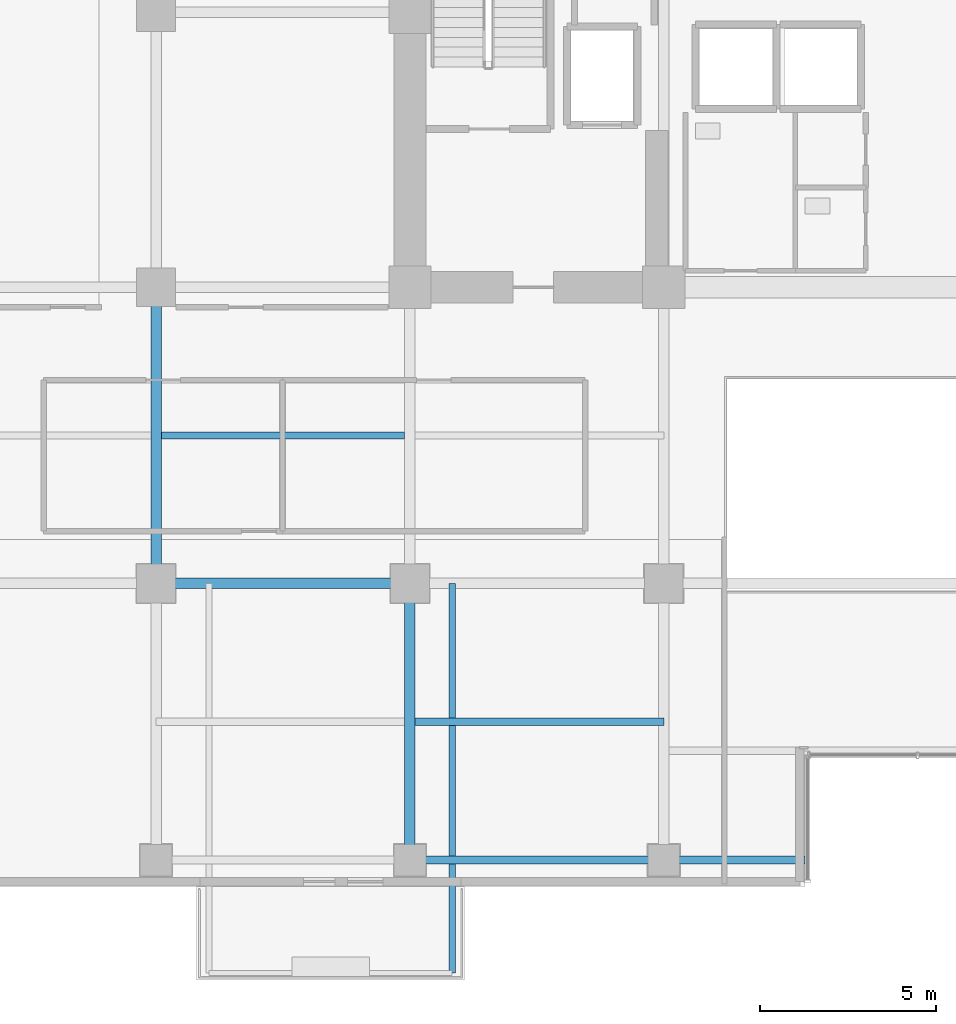
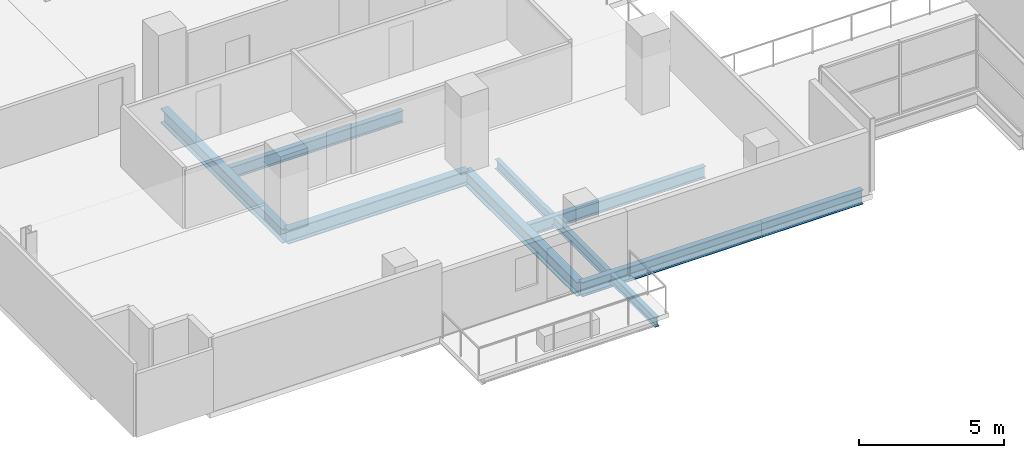
# One storey, part 5 of 30: 8 beams.
"""IFC4 building model written with IfcOpenShell, lengths in metres."""

from ifc_helpers import new_model, si_unit, direction, frame, origin, origin_2d, place, context, subcontext, project, spatial, i_section, extrude, material, material_profile, profile_set, type_object, element, save


model = new_model("IFC4")

# Units and contexts
model_context = context("Model", 3, precision=1e-05, world=origin(), true_north=direction((0.0, 1.0)))
body_context = subcontext(model_context, "Body", "Model", "MODEL_VIEW")
ifc_project = project(units=[si_unit("LENGTHUNIT", "METRE"), si_unit("AREAUNIT", "SQUARE_METRE"), si_unit("VOLUMEUNIT", "CUBIC_METRE"), si_unit("PLANEANGLEUNIT", "RADIAN"), si_unit("MASSUNIT", "GRAM", prefix="KILO")], contexts=[model_context])

# Site, building, storey
site_placement = place(None, origin())
site = spatial("IfcSite", under=ifc_project, at=site_placement, CompositionType="ELEMENT")
building_placement = place(site_placement, origin())
building = spatial("IfcBuilding", under=site, at=building_placement, Name="Zarnakvel Exchange Tower", CompositionType="ELEMENT")
storey_placement = place(building_placement, frame((0.0, 0.0, 50.5)))
storey = spatial("IfcBuildingStorey", under=building, at=storey_placement, Name="L13", CompositionType="ELEMENT", Elevation=50.5)

# Beams
ifc_material = material(Name="Steel S355", Category="steel")
ifc_material_profile_1 = material_profile(ifc_material, i_section(OverallWidth=0.199951171875, OverallDepth=0.5, WebThickness=0.01025390625, FlangeThickness=0.01611328125, FilletRadius=0.02099609375, at=origin_2d()))
ifc_profile_set_1 = profile_set([ifc_material_profile_1], Name="Steel S355")
beam_type_1 = type_object("IfcBeamType", Name="B-04", PredefinedType="JOIST", material=ifc_profile_set_1)
beam_1_placement = place(storey_placement, frame((-14.25, -13.52490234375, -0.47509765625), z_axis=(1.0, 0.0, 0.0), x_axis=(0.0, 1.0, 0.0)))
element("IfcBeam", 1, at=beam_1_placement, inside=storey, type_object=beam_type_1, Name="L13 Composite Floor Secondary Joist", PredefinedType="JOIST", context=body_context, shape_type="SweptSolid", body=[
    extrude(i_section(OverallWidth=0.199951171875, OverallDepth=0.5, WebThickness=0.01025390625, FlangeThickness=0.01611328125, FilletRadius=0.02099609375, at=origin_2d()), origin(), (0.0, 0.0, 1.0), 7.050048828125),
])
beam_2_placement = place(storey_placement, frame((-21.449951171875, -5.39990234375, -0.47509765625), z_axis=(1.0, 0.0, 0.0), x_axis=(0.0, 1.0, 0.0)))
element("IfcBeam", 2, at=beam_2_placement, inside=storey, type_object=beam_type_1, Name="L13 Composite Floor Secondary Joist", PredefinedType="JOIST", context=body_context, shape_type="SweptSolid", body=[
    extrude(i_section(OverallWidth=0.199951171875, OverallDepth=0.5, WebThickness=0.01025390625, FlangeThickness=0.01611328125, FilletRadius=0.02099609375, at=origin_2d()), origin(), (0.0, 0.0, 1.0), 6.89990234375),
])
ifc_material_profile_2 = material_profile(ifc_material, i_section(OverallWidth=0.179931640625, OverallDepth=0.39990234375, WebThickness=0.008544921875, FlangeThickness=0.013427734375, FilletRadius=0.02099609375, at=origin_2d()))
ifc_profile_set_2 = profile_set([ifc_material_profile_2], Name="Steel S355")
beam_type_2 = type_object("IfcBeamType", Name="B-06", PredefinedType="JOIST", material=ifc_profile_set_2)
beam_3_placement = place(storey_placement, frame((-13.199951171875, -9.60009765625, -0.425048828125), z_axis=(0.0, -1.0, 0.0), x_axis=(1.0, 0.0, 0.0)))
element("IfcBeam", 3, at=beam_3_placement, inside=storey, type_object=beam_type_2, Name="L13 Continuous Back-Spanned Balcony Beam E", PredefinedType="JOIST", context=body_context, shape_type="SweptSolid", body=[
    extrude(i_section(OverallWidth=0.179931640625, OverallDepth=0.39990234375, WebThickness=0.008544921875, FlangeThickness=0.013427734375, FilletRadius=0.02099609375, at=origin_2d()), origin(), (0.0, 0.0, 1.0), 11.0498046875),
])
ifc_material_profile_3 = material_profile(ifc_material, i_section(OverallWidth=0.300048828125, OverallDepth=0.60009765625, WebThickness=0.015380859375, FlangeThickness=0.030029296875, FilletRadius=0.027099609375, at=origin_2d()))
ifc_profile_set_3 = profile_set([ifc_material_profile_3], Name="Steel S355")
beam_type_3 = type_object("IfcBeamType", Name="G-04", PredefinedType="BEAM", material=ifc_profile_set_3)
beam_4_placement = place(storey_placement, frame((-21.60009765625, -9.60009765625, -0.52490234375), z_axis=(1.0, 0.0, 0.0), x_axis=(0.0, 1.0, 0.0)))
element("IfcBeam", 4, at=beam_4_placement, inside=storey, type_object=beam_type_3, Name="L13 Tower E-W Frame Beam", PredefinedType="BEAM", context=body_context, shape_type="SweptSolid", body=[
    extrude(i_section(OverallWidth=0.300048828125, OverallDepth=0.60009765625, WebThickness=0.015380859375, FlangeThickness=0.030029296875, FilletRadius=0.027099609375, at=origin_2d()), origin(), (0.0, 0.0, 1.0), 7.2001953125),
])
beam_5_placement = place(storey_placement, frame((-21.60009765625, -9.60009765625, -0.52490234375), z_axis=(0.0, 1.0, 0.0), x_axis=(-1.0, 0.0, 0.0)))
element("IfcBeam", 5, at=beam_5_placement, inside=storey, type_object=beam_type_3, Name="L13 Tower N-S Frame Beam", PredefinedType="BEAM", context=body_context, shape_type="SweptSolid", body=[
    extrude(i_section(OverallWidth=0.300048828125, OverallDepth=0.60009765625, WebThickness=0.015380859375, FlangeThickness=0.030029296875, FilletRadius=0.027099609375, at=origin_2d()), origin(), (0.0, 0.0, 1.0), 8.400146484375),
])
beam_6_placement = place(storey_placement, frame((-14.39990234375, -17.449951171875, -0.52490234375), z_axis=(0.0, 1.0, 0.0), x_axis=(-1.0, 0.0, 0.0)))
element("IfcBeam", 6, at=beam_6_placement, inside=storey, type_object=beam_type_3, Name="L13 Tower N-S Frame Beam", PredefinedType="BEAM", context=body_context, shape_type="SweptSolid", body=[
    extrude(i_section(OverallWidth=0.300048828125, OverallDepth=0.60009765625, WebThickness=0.015380859375, FlangeThickness=0.030029296875, FilletRadius=0.027099609375, at=origin_2d()), origin(), (0.0, 0.0, 1.0), 7.849853515625),
])
ifc_material_profile_4 = material_profile(ifc_material, i_section(OverallWidth=0.219970703125, OverallDepth=0.60009765625, WebThickness=0.011962890625, FlangeThickness=0.01904296875, FilletRadius=0.02392578125, at=origin_2d()))
ifc_profile_set_4 = profile_set([ifc_material_profile_4], Name="Steel S355")
beam_type_4 = type_object("IfcBeamType", Name="SP-01", PredefinedType="SPANDREL", material=ifc_profile_set_4)
beam_7_placement = place(storey_placement, frame((-14.39990234375, -17.449951171875, -0.52490234375), z_axis=(1.0, 0.0, 0.0), x_axis=(0.0, 1.0, 0.0)))
element("IfcBeam", 7, at=beam_7_placement, inside=storey, type_object=beam_type_4, Name="L13 Tower E-W Frame Beam", PredefinedType="SPANDREL", context=body_context, shape_type="SweptSolid", body=[
    extrude(i_section(OverallWidth=0.219970703125, OverallDepth=0.60009765625, WebThickness=0.011962890625, FlangeThickness=0.01904296875, FilletRadius=0.02392578125, at=origin_2d()), origin(), (0.0, 0.0, 1.0), 7.199951171875),
])
beam_8_placement = place(storey_placement, frame((-7.199951171875, -17.449951171875, -0.52490234375), z_axis=(1.0, 0.0, 0.0), x_axis=(0.0, 1.0, 0.0)))
element("IfcBeam", 8, at=beam_8_placement, inside=storey, type_object=beam_type_4, Name="L13 South Slot West Jamb Spandrel", PredefinedType="SPANDREL", context=body_context, shape_type="SweptSolid", body=[
    extrude(i_section(OverallWidth=0.219970703125, OverallDepth=0.60009765625, WebThickness=0.011962890625, FlangeThickness=0.01904296875, FilletRadius=0.02392578125, at=origin_2d()), origin(), (0.0, 0.0, 1.0), 4.0),
])

save(model, "model.ifc")
